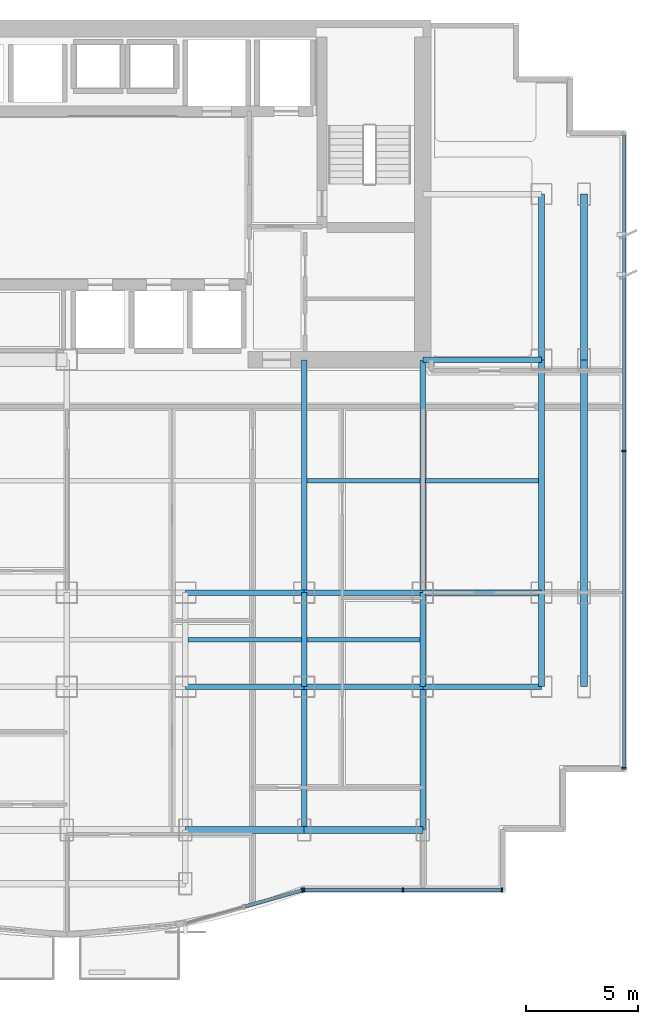
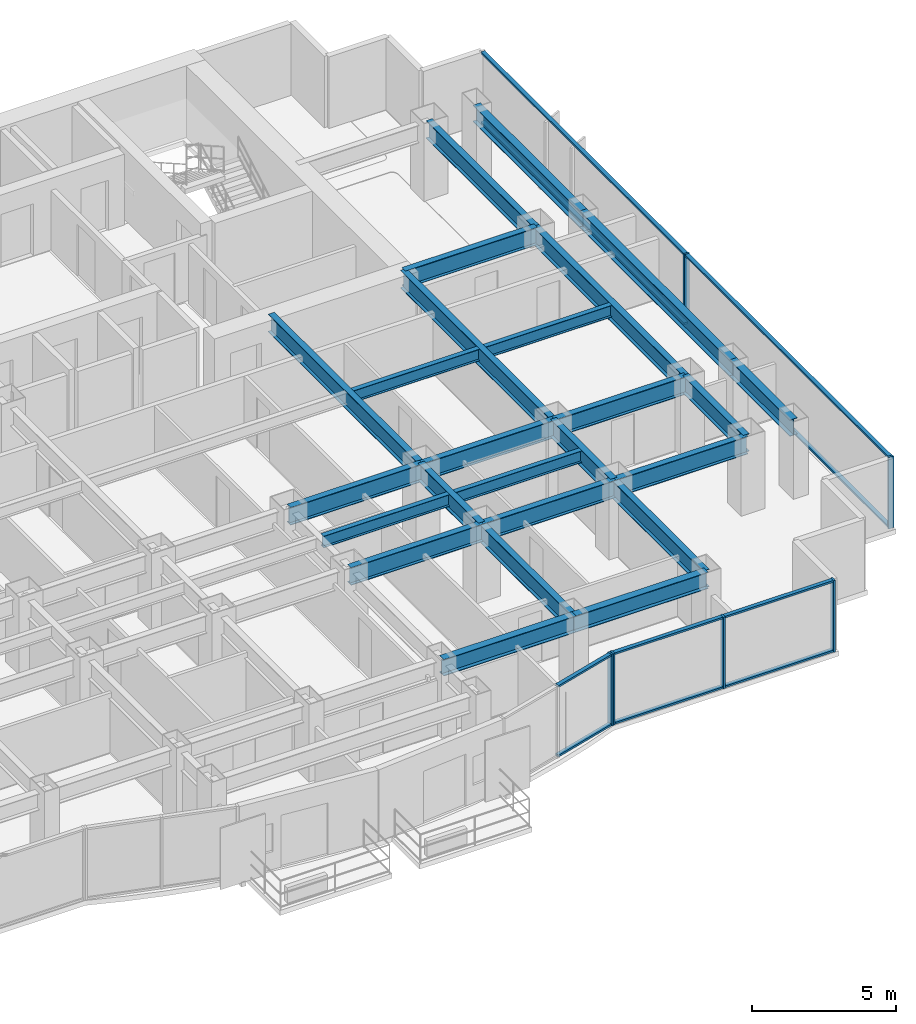
# One storey, part 3 of 11: 25 beams, 16 members, 3 elements without a shape of their own.
"""IFC4 building model written with IfcOpenShell, lengths in metres."""

from ifc_helpers import new_model, si_unit, direction, frame, origin, origin_2d, place, context, subcontext, project, spatial, rectangle, i_section, extrude, source, transform, mapped, material, layer, layer_set, material_profile, profile_set, type_object, element, aggregate, save


model = new_model("IFC4")

# Units and contexts
model_context = context("Model", 3, precision=1e-05, world=origin(), true_north=direction((0.0, 1.0)))
body_context = subcontext(model_context, "Body", "Model", "MODEL_VIEW")
ifc_project = project(units=[si_unit("LENGTHUNIT", "METRE"), si_unit("AREAUNIT", "SQUARE_METRE"), si_unit("VOLUMEUNIT", "CUBIC_METRE"), si_unit("PLANEANGLEUNIT", "RADIAN"), si_unit("MASSUNIT", "GRAM", prefix="KILO")], contexts=[model_context])

# Site, building, storey
site_placement = place(None, origin())
site = spatial("IfcSite", under=ifc_project, at=site_placement, CompositionType="ELEMENT")
building_placement = place(site_placement, origin())
building = spatial("IfcBuilding", under=site, at=building_placement, Name="Qianlan Lanfeng Residences", CompositionType="ELEMENT")
storey_placement = place(building_placement, frame((0.0, 0.0, 124.60009765625)))
storey = spatial("IfcBuildingStorey", under=building, at=storey_placement, Name="L34", CompositionType="ELEMENT", Elevation=124.60009765625)

# Beams
ifc_material_1 = material(Name="Steel SN490B", Category="steel")
ifc_material_profile_1 = material_profile(ifc_material_1, i_section(OverallWidth=0.25, OverallDepth=0.75, WebThickness=0.013916015625, FlangeThickness=0.02490234375, at=origin_2d()), Name="H 750x250x14x25")
ifc_profile_set_1 = profile_set([ifc_material_profile_1], Name="Steel SN490B")
beam_type_1 = type_object("IfcBeamType", Name="G-850", PredefinedType="BEAM", material=ifc_profile_set_1)
beam_1_placement = place(storey_placement, frame((31.800048828125, 10.60009765625, 2.65478515625), z_axis=(1.0, 0.0, 0.0), x_axis=(0.0, 1.0, 0.0)))
element("IfcBeam", 1, at=beam_1_placement, inside=storey, type_object=beam_type_1, Name="Structural beam G-850", PredefinedType="BEAM", context=body_context, shape_type="SweptSolid", body=[
    extrude(i_section(OverallWidth=0.25, OverallDepth=0.75, WebThickness=0.013916015625, FlangeThickness=0.02490234375, at=origin_2d()), origin(), (0.0, 0.0, 1.0), 5.300048828125),
])
beam_2_placement = place(storey_placement, frame((37.10009765625, 10.60009765625, 2.65478515625), z_axis=(1.0, 0.0, 0.0), x_axis=(0.0, 1.0, 0.0)))
element("IfcBeam", 2, at=beam_2_placement, inside=storey, type_object=beam_type_1, Name="Structural beam G-850", PredefinedType="BEAM", context=body_context, shape_type="SweptSolid", body=[
    extrude(i_section(OverallWidth=0.25, OverallDepth=0.75, WebThickness=0.013916015625, FlangeThickness=0.02490234375, at=origin_2d()), origin(), (0.0, 0.0, 1.0), 5.2998046875),
])
for number, where, z_axis, x_axis, name in (
    (3, (42.39990234375, 10.60009765625, 2.65478515625), (1.0, 0.0, 0.0), (0.0, 1.0, 0.0), "Structural beam G-850"),
    (4, (31.800048828125, 14.800048828125, 2.65478515625), (1.0, 0.0, 0.0), (0.0, 1.0, 0.0), "Structural beam G-850"),
):
    element("IfcBeam", number, at=place(storey_placement, frame(where, z_axis=z_axis, x_axis=x_axis)), inside=storey, type_object=beam_type_1, Name=name, PredefinedType="BEAM", context=body_context, shape_type="SweptSolid", body=[
        extrude(i_section(OverallWidth=0.25, OverallDepth=0.75, WebThickness=0.013916015625, FlangeThickness=0.02490234375, at=origin_2d()), origin(), (0.0, 0.0, 1.0), 5.300048828125),
    ])
beam_3_placement = place(storey_placement, frame((37.10009765625, 14.800048828125, 2.65478515625), z_axis=(1.0, 0.0, 0.0), x_axis=(0.0, 1.0, 0.0)))
element("IfcBeam", 5, at=beam_3_placement, inside=storey, type_object=beam_type_1, Name="Structural beam G-850", PredefinedType="BEAM", context=body_context, shape_type="SweptSolid", body=[
    extrude(i_section(OverallWidth=0.25, OverallDepth=0.75, WebThickness=0.013916015625, FlangeThickness=0.02490234375, at=origin_2d()), origin(), (0.0, 0.0, 1.0), 5.2998046875),
])
for number, where, z_axis, x_axis, name in (
    (6, (42.39990234375, 14.800048828125, 2.65478515625), (1.0, 0.0, 0.0), (0.0, 1.0, 0.0), "Structural beam G-850"),
    (7, (42.39990234375, 25.199951171875, 2.65478515625), (1.0, 0.0, 0.0), (0.0, 1.0, 0.0), "Structural beam G-850"),
):
    element("IfcBeam", number, at=place(storey_placement, frame(where, z_axis=z_axis, x_axis=x_axis)), inside=storey, type_object=beam_type_1, Name=name, PredefinedType="BEAM", context=body_context, shape_type="SweptSolid", body=[
        extrude(i_section(OverallWidth=0.25, OverallDepth=0.75, WebThickness=0.013916015625, FlangeThickness=0.02490234375, at=origin_2d()), origin(), (0.0, 0.0, 1.0), 5.300048828125),
    ])
beam_4_placement = place(storey_placement, frame((37.10009765625, 4.199951171875, 2.65478515625), z_axis=(0.0, 1.0, 0.0), x_axis=(-1.0, 0.0, 0.0)))
element("IfcBeam", 8, at=beam_4_placement, inside=storey, type_object=beam_type_1, Name="Structural beam G-850", PredefinedType="BEAM", context=body_context, shape_type="SweptSolid", body=[
    extrude(i_section(OverallWidth=0.25, OverallDepth=0.75, WebThickness=0.013916015625, FlangeThickness=0.02490234375, at=origin_2d()), origin(), (0.0, 0.0, 1.0), 6.400146484375),
])
beam_5_placement = place(storey_placement, frame((37.10009765625, 10.60009765625, 2.65478515625), z_axis=(0.0, 1.0, 0.0), x_axis=(-1.0, 0.0, 0.0)))
element("IfcBeam", 9, at=beam_5_placement, inside=storey, type_object=beam_type_1, Name="Structural beam G-850", PredefinedType="BEAM", context=body_context, shape_type="SweptSolid", body=[
    extrude(i_section(OverallWidth=0.25, OverallDepth=0.75, WebThickness=0.013916015625, FlangeThickness=0.02490234375, at=origin_2d()), origin(), (0.0, 0.0, 1.0), 4.199951171875),
])
beam_6_placement = place(storey_placement, frame((37.10009765625, 14.800048828125, 2.65478515625), z_axis=(0.0, 1.0, 0.0), x_axis=(-1.0, 0.0, 0.0)))
element("IfcBeam", 10, at=beam_6_placement, inside=storey, type_object=beam_type_1, Name="Structural beam G-850", PredefinedType="BEAM", context=body_context, shape_type="SweptSolid", body=[
    extrude(i_section(OverallWidth=0.25, OverallDepth=0.75, WebThickness=0.013916015625, FlangeThickness=0.02490234375, at=origin_2d()), origin(), (0.0, 0.0, 1.0), 10.39990234375),
])
beam_7_placement = place(storey_placement, frame((42.39990234375, 4.199951171875, 2.65478515625), z_axis=(0.0, 1.0, 0.0), x_axis=(-1.0, 0.0, 0.0)))
element("IfcBeam", 11, at=beam_7_placement, inside=storey, type_object=beam_type_1, Name="Structural beam G-850", PredefinedType="BEAM", context=body_context, shape_type="SweptSolid", body=[
    extrude(i_section(OverallWidth=0.25, OverallDepth=0.75, WebThickness=0.013916015625, FlangeThickness=0.02490234375, at=origin_2d()), origin(), (0.0, 0.0, 1.0), 6.400146484375),
])
beam_8_placement = place(storey_placement, frame((42.39990234375, 10.60009765625, 2.65478515625), z_axis=(0.0, 1.0, 0.0), x_axis=(-1.0, 0.0, 0.0)))
element("IfcBeam", 12, at=beam_8_placement, inside=storey, type_object=beam_type_1, Name="Structural beam G-850", PredefinedType="BEAM", context=body_context, shape_type="SweptSolid", body=[
    extrude(i_section(OverallWidth=0.25, OverallDepth=0.75, WebThickness=0.013916015625, FlangeThickness=0.02490234375, at=origin_2d()), origin(), (0.0, 0.0, 1.0), 4.199951171875),
])
beam_9_placement = place(storey_placement, frame((42.39990234375, 14.800048828125, 2.65478515625), z_axis=(0.0, 1.0, 0.0), x_axis=(-1.0, 0.0, 0.0)))
element("IfcBeam", 13, at=beam_9_placement, inside=storey, type_object=beam_type_1, Name="Structural beam G-850", PredefinedType="BEAM", context=body_context, shape_type="SweptSolid", body=[
    extrude(i_section(OverallWidth=0.25, OverallDepth=0.75, WebThickness=0.013916015625, FlangeThickness=0.02490234375, at=origin_2d()), origin(), (0.0, 0.0, 1.0), 10.39990234375),
])
beam_10_placement = place(storey_placement, frame((47.699951171875, 10.60009765625, 2.65478515625), z_axis=(0.0, 1.0, 0.0), x_axis=(-1.0, 0.0, 0.0)))
element("IfcBeam", 14, at=beam_10_placement, inside=storey, type_object=beam_type_1, Name="Structural beam G-850", PredefinedType="BEAM", context=body_context, shape_type="SweptSolid", body=[
    extrude(i_section(OverallWidth=0.25, OverallDepth=0.75, WebThickness=0.013916015625, FlangeThickness=0.02490234375, at=origin_2d()), origin(), (0.0, 0.0, 1.0), 4.199951171875),
])
beam_11_placement = place(storey_placement, frame((47.699951171875, 14.800048828125, 2.65478515625), z_axis=(0.0, 1.0, 0.0), x_axis=(-1.0, 0.0, 0.0)))
element("IfcBeam", 15, at=beam_11_placement, inside=storey, type_object=beam_type_1, Name="Structural beam G-850", PredefinedType="BEAM", context=body_context, shape_type="SweptSolid", body=[
    extrude(i_section(OverallWidth=0.25, OverallDepth=0.75, WebThickness=0.013916015625, FlangeThickness=0.02490234375, at=origin_2d()), origin(), (0.0, 0.0, 1.0), 10.39990234375),
])
beam_12_placement = place(storey_placement, frame((47.699951171875, 25.199951171875, 2.65478515625), z_axis=(0.0, 1.0, 0.0), x_axis=(-1.0, 0.0, 0.0)))
element("IfcBeam", 16, at=beam_12_placement, inside=storey, type_object=beam_type_1, Name="Structural beam G-850", PredefinedType="BEAM", context=body_context, shape_type="SweptSolid", body=[
    extrude(i_section(OverallWidth=0.25, OverallDepth=0.75, WebThickness=0.013916015625, FlangeThickness=0.02490234375, at=origin_2d()), origin(), (0.0, 0.0, 1.0), 7.400146484375),
])
ifc_material_profile_2 = material_profile(ifc_material_1, i_section(OverallWidth=0.199951171875, OverallDepth=0.5, WebThickness=0.010009765625, FlangeThickness=0.01611328125, at=origin_2d()), Name="H 500x200x10x16")
ifc_profile_set_2 = profile_set([ifc_material_profile_2], Name="Steel SN490B")
beam_type_2 = type_object("IfcBeamType", Name="J-500", PredefinedType="JOIST", material=ifc_profile_set_2)
beam_13_placement = place(storey_placement, frame((31.925048828125, 12.699951171875, 2.77978515625), z_axis=(1.0, 0.0, 0.0), x_axis=(0.0, 1.0, 0.0)))
element("IfcBeam", 17, at=beam_13_placement, inside=storey, type_object=beam_type_2, Name="Structural beam J-500", PredefinedType="JOIST", context=body_context, shape_type="SweptSolid", body=[
    extrude(i_section(OverallWidth=0.199951171875, OverallDepth=0.5, WebThickness=0.010009765625, FlangeThickness=0.01611328125, at=origin_2d()), origin(), (0.0, 0.0, 1.0), 5.050048828125),
])
for number, where, z_axis, x_axis, name in (
    (18, (37.22509765625, 12.699951171875, 2.77978515625), (1.0, 0.0, 0.0), (0.0, 1.0, 0.0), "Structural beam J-500"),
    (19, (37.22509765625, 19.800048828125, 2.77978515625), (1.0, 0.0, 0.0), (0.0, 1.0, 0.0), "Structural beam J-500"),
):
    element("IfcBeam", number, at=place(storey_placement, frame(where, z_axis=z_axis, x_axis=x_axis)), inside=storey, type_object=beam_type_2, Name=name, PredefinedType="JOIST", context=body_context, shape_type="SweptSolid", body=[
        extrude(i_section(OverallWidth=0.199951171875, OverallDepth=0.5, WebThickness=0.010009765625, FlangeThickness=0.01611328125, at=origin_2d()), origin(), (0.0, 0.0, 1.0), 5.0498046875),
    ])
beam_14_placement = place(storey_placement, frame((42.52490234375, 19.800048828125, 2.77978515625), z_axis=(1.0, 0.0, 0.0), x_axis=(0.0, 1.0, 0.0)))
element("IfcBeam", 20, at=beam_14_placement, inside=storey, type_object=beam_type_2, Name="Structural beam J-500", PredefinedType="JOIST", context=body_context, shape_type="SweptSolid", body=[
    extrude(i_section(OverallWidth=0.199951171875, OverallDepth=0.5, WebThickness=0.010009765625, FlangeThickness=0.01611328125, at=origin_2d()), origin(), (0.0, 0.0, 1.0), 5.050048828125),
])
ifc_material_profile_3 = material_profile(ifc_material_1, i_section(OverallWidth=0.300048828125, OverallDepth=0.699951171875, WebThickness=0.012939453125, FlangeThickness=0.02392578125, at=origin_2d()), Name="H 700x300x13x24")
ifc_profile_set_3 = profile_set([ifc_material_profile_3], Name="Steel SN490B")
beam_type_3 = type_object("IfcBeamType", Name="SG-750", PredefinedType="SPANDREL", material=ifc_profile_set_3)
beam_15_placement = place(storey_placement, frame((31.800048828125, 4.199951171875, 2.679931640625), z_axis=(1.0, 0.0, 0.0), x_axis=(0.0, 1.0, 0.0)))
element("IfcBeam", 21, at=beam_15_placement, inside=storey, type_object=beam_type_3, Name="Structural beam SG-750", PredefinedType="SPANDREL", context=body_context, shape_type="SweptSolid", body=[
    extrude(i_section(OverallWidth=0.300048828125, OverallDepth=0.699951171875, WebThickness=0.012939453125, FlangeThickness=0.02392578125, at=origin_2d()), origin(), (0.0, 0.0, 1.0), 5.300048828125),
])
beam_16_placement = place(storey_placement, frame((37.10009765625, 4.199951171875, 2.679931640625), z_axis=(1.0, 0.0, 0.0), x_axis=(0.0, 1.0, 0.0)))
element("IfcBeam", 22, at=beam_16_placement, inside=storey, type_object=beam_type_3, Name="Structural beam SG-750", PredefinedType="SPANDREL", context=body_context, shape_type="SweptSolid", body=[
    extrude(i_section(OverallWidth=0.300048828125, OverallDepth=0.699951171875, WebThickness=0.012939453125, FlangeThickness=0.02392578125, at=origin_2d()), origin(), (0.0, 0.0, 1.0), 5.2998046875),
])
beam_17_placement = place(storey_placement, frame((49.60009765625, 10.60009765625, 2.679931640625), z_axis=(0.0, 1.0, 0.0), x_axis=(-1.0, 0.0, 0.0)))
element("IfcBeam", 23, at=beam_17_placement, inside=storey, type_object=beam_type_3, Name="Structural beam SG-750", PredefinedType="SPANDREL", context=body_context, shape_type="SweptSolid", body=[
    extrude(i_section(OverallWidth=0.300048828125, OverallDepth=0.699951171875, WebThickness=0.012939453125, FlangeThickness=0.02392578125, at=origin_2d()), origin(), (0.0, 0.0, 1.0), 4.199951171875),
])
beam_18_placement = place(storey_placement, frame((49.60009765625, 14.800048828125, 2.679931640625), z_axis=(0.0, 1.0, 0.0), x_axis=(-1.0, 0.0, 0.0)))
element("IfcBeam", 24, at=beam_18_placement, inside=storey, type_object=beam_type_3, Name="Structural beam SG-750", PredefinedType="SPANDREL", context=body_context, shape_type="SweptSolid", body=[
    extrude(i_section(OverallWidth=0.300048828125, OverallDepth=0.699951171875, WebThickness=0.012939453125, FlangeThickness=0.02392578125, at=origin_2d()), origin(), (0.0, 0.0, 1.0), 10.39990234375),
])
beam_19_placement = place(storey_placement, frame((49.60009765625, 25.199951171875, 2.679931640625), z_axis=(0.0, 1.0, 0.0), x_axis=(-1.0, 0.0, 0.0)))
element("IfcBeam", 25, at=beam_19_placement, inside=storey, type_object=beam_type_3, Name="Structural beam SG-750", PredefinedType="SPANDREL", context=body_context, shape_type="SweptSolid", body=[
    extrude(i_section(OverallWidth=0.300048828125, OverallDepth=0.699951171875, WebThickness=0.012939453125, FlangeThickness=0.02392578125, at=origin_2d()), origin(), (0.0, 0.0, 1.0), 7.400146484375),
])

# Curtain wall, member
ifc_material_2 = material(Name="Anodised Bronze Aluminium 6063-T6", Category="aluminium")
ifc_layer = layer(ifc_material_2, 0.219970703125)
ifc_layer_set = layer_set([ifc_layer], Name="Anodised Bronze Aluminium 6063-T6")
curtain_wall_type = type_object("IfcCurtainWallType", Name="CW-03", PredefinedType="NOTDEFINED", material=ifc_layer_set)
curtain_wall_1_placement = place(storey_placement, origin())
curtain_wall_1 = element("IfcCurtainWall", 26, at=curtain_wall_1_placement, inside=storey, type_object=curtain_wall_type, Name="L34 Unitised Curtain Wall CWR-L34-03 (CW-03)", PredefinedType="NOTDEFINED")
ifc_material_profile_4 = material_profile(ifc_material_2, rectangle(XDim=0.080078125, YDim=0.2099609375, at=origin_2d()), Name="ALU MULLION 80x210")
ifc_profile_set_4 = profile_set([ifc_material_profile_4], Name="Anodised Bronze Aluminium 6063-T6")
member_type_1 = type_object("IfcMemberType", Name="CWM-220", PredefinedType="MULLION", material=ifc_profile_set_4)
shared_shape_1 = source(origin(), body_context, "Body", "SweptSolid", [
    extrude(rectangle(XDim=0.080078125, YDim=0.2099609375, at=origin_2d()), origin(), (0.0, 0.0, 1.0), 3.02978515625),
])
member_1_placement = place(storey_placement, frame((37.0205078125, 1.509033203125, 0.0), z_axis=(0.0, 0.0, 1.0), x_axis=(0.961989074302, 0.273087936247, 0.0)))
member_1 = element("IfcMember", 27, at=member_1_placement, type_object=member_type_1, Name="CWR-L34-03 Mullion 3", PredefinedType="MULLION", context=body_context, shape_type="MappedRepresentation", body=[
    mapped(shared_shape_1, transform((0.0, 0.0, 0.0), scale=1.0)),
])

# Curtain wall, members
curtain_wall_2_placement = place(storey_placement, origin())
curtain_wall_2 = element("IfcCurtainWall", 28, at=curtain_wall_2_placement, inside=storey, type_object=curtain_wall_type, Name="L34 Unitised Curtain Wall CWR-L34-04 (CW-03)", PredefinedType="NOTDEFINED")
member_2_placement = place(storey_placement, frame((37.09912109375, 1.52001953125, 0.0), z_axis=(0.0, 0.0, 1.0), x_axis=(1.0, 0.0, 0.0)))
member_2 = element("IfcMember", 29, at=member_2_placement, type_object=member_type_1, Name="CWR-L34-04 Mullion 1", PredefinedType="MULLION", context=body_context, shape_type="MappedRepresentation", body=[
    mapped(shared_shape_1, transform((0.0, 0.0, 0.0), scale=1.0)),
])
member_3_placement = place(storey_placement, frame((41.51953125, 1.52001953125, 0.0), z_axis=(0.0, 0.0, 1.0), x_axis=(1.0, 0.0, 0.0)))
member_3 = element("IfcMember", 30, at=member_3_placement, type_object=member_type_1, Name="CWR-L34-04 Mullion 2", PredefinedType="MULLION", context=body_context, shape_type="MappedRepresentation", body=[
    mapped(shared_shape_1, transform((0.0, 0.0, 0.0), scale=1.0)),
])
member_4_placement = place(storey_placement, frame((45.93994140625, 1.52001953125, 0.0), z_axis=(0.0, 0.0, 1.0), x_axis=(1.0, 0.0, 0.0)))
member_4 = element("IfcMember", 31, at=member_4_placement, type_object=member_type_1, Name="CWR-L34-04 Mullion 3", PredefinedType="MULLION", context=body_context, shape_type="MappedRepresentation", body=[
    mapped(shared_shape_1, transform((0.0, 0.0, 0.0), scale=1.0)),
])

curtain_wall_3_placement = place(storey_placement, origin())
curtain_wall_3 = element("IfcCurtainWall", 32, at=curtain_wall_3_placement, inside=storey, type_object=curtain_wall_type, Name="L34 Unitised Curtain Wall CWR-L34-05 (CW-03)", PredefinedType="NOTDEFINED")
member_5_placement = place(storey_placement, frame((51.3798828125, 6.9599609375, 0.0), z_axis=(0.0, 0.0, 1.0), x_axis=(0.0, 1.0, 0.0)))
member_5 = element("IfcMember", 33, at=member_5_placement, type_object=member_type_1, Name="CWR-L34-05 Mullion 1", PredefinedType="MULLION", context=body_context, shape_type="MappedRepresentation", body=[
    mapped(shared_shape_1, transform((0.0, 0.0, 0.0), scale=1.0)),
])
member_6_placement = place(storey_placement, frame((51.3798828125, 21.125, 0.0), z_axis=(0.0, 0.0, 1.0), x_axis=(0.0, 1.0, 0.0)))
member_6 = element("IfcMember", 34, at=member_6_placement, type_object=member_type_1, Name="CWR-L34-05 Mullion 2", PredefinedType="MULLION", context=body_context, shape_type="MappedRepresentation", body=[
    mapped(shared_shape_1, transform((0.0, 0.0, 0.0), scale=1.0)),
])

# Member
ifc_material_profile_5 = material_profile(ifc_material_2, rectangle(XDim=0.080078125, YDim=0.159912109375, at=origin_2d()), Name="ALU TRANSOM 80x160")
ifc_profile_set_5 = profile_set([ifc_material_profile_5], Name="Anodised Bronze Aluminium 6063-T6")
member_type_2 = type_object("IfcMemberType", Name="CWT-180", PredefinedType="USERDEFINED", material=ifc_profile_set_5)
shared_shape_2 = source(origin(), body_context, "Body", "SweptSolid", [
    extrude(rectangle(XDim=0.080078125, YDim=0.159912109375, at=origin_2d()), origin(), (0.0, 0.0, 1.0), 4.34033203125),
])
member_7_placement = place(storey_placement, frame((41.5595703125, 1.52001953125, 0.039794921875), z_axis=(1.0, 0.0, 0.0), x_axis=(0.0, 0.0, 1.0)))
member_7 = element("IfcMember", 35, at=member_7_placement, type_object=member_type_2, Name="CWR-L34-04 Transom 2-BOT", ObjectType="TRANSOM", PredefinedType="USERDEFINED", context=body_context, shape_type="MappedRepresentation", body=[
    mapped(shared_shape_2, transform((0.0, 0.0, 0.0), scale=1.0)),
])

member_8_placement = place(storey_placement, frame((41.5595703125, 1.52001953125, 2.989990234375), z_axis=(1.0, 0.0, 0.0), x_axis=(0.0, 0.0, 1.0)))
member_8 = element("IfcMember", 36, at=member_8_placement, type_object=member_type_2, Name="CWR-L34-04 Transom 2-TOP", ObjectType="TRANSOM", PredefinedType="USERDEFINED", context=body_context, shape_type="MappedRepresentation", body=[
    mapped(shared_shape_2, transform((0.0, 0.0, 0.0), scale=1.0)),
])

shared_shape_3 = source(origin(), body_context, "Body", "SweptSolid", [
    extrude(rectangle(XDim=0.080078125, YDim=0.159912109375, at=origin_2d()), origin(), (0.0, 0.0, 1.0), 4.340576171875),
])
member_9_placement = place(storey_placement, frame((37.138916015625, 1.52001953125, 0.039794921875), z_axis=(1.0, 0.0, 0.0), x_axis=(0.0, 0.0, 1.0)))
member_9 = element("IfcMember", 37, at=member_9_placement, type_object=member_type_2, Name="CWR-L34-04 Transom 1-BOT", ObjectType="TRANSOM", PredefinedType="USERDEFINED", context=body_context, shape_type="MappedRepresentation", body=[
    mapped(shared_shape_3, transform((0.0, 0.0, 0.0), scale=1.0)),
])

member_10_placement = place(storey_placement, frame((37.138916015625, 1.52001953125, 2.989990234375), z_axis=(1.0, 0.0, 0.0), x_axis=(0.0, 0.0, 1.0)))
member_10 = element("IfcMember", 38, at=member_10_placement, type_object=member_type_2, Name="CWR-L34-04 Transom 1-TOP", ObjectType="TRANSOM", PredefinedType="USERDEFINED", context=body_context, shape_type="MappedRepresentation", body=[
    mapped(shared_shape_3, transform((0.0, 0.0, 0.0), scale=1.0)),
])

aggregate(curtain_wall_2, [member_2, member_3, member_4, member_9, member_10, member_7, member_8])

shared_shape_4 = source(origin(), body_context, "Body", "SweptSolid", [
    extrude(rectangle(XDim=0.080078125, YDim=0.159912109375, at=origin_2d()), origin(), (0.0, 0.0, 1.0), 2.63037109375),
])
member_11_placement = place(storey_placement, frame((34.451904296875, 0.77978515625, 0.039794921875), z_axis=(0.961967513886, 0.273163874312, 0.0), x_axis=(0.0, 0.0, 1.0)))
member_11 = element("IfcMember", 39, at=member_11_placement, type_object=member_type_2, Name="CWR-L34-03 Transom 2-BOT", ObjectType="TRANSOM", PredefinedType="USERDEFINED", context=body_context, shape_type="MappedRepresentation", body=[
    mapped(shared_shape_4, transform((0.0, 0.0, 0.0), scale=1.0)),
])

member_12_placement = place(storey_placement, frame((34.451904296875, 0.77978515625, 2.989990234375), z_axis=(0.961967513886, 0.273163874312, 0.0), x_axis=(0.0, 0.0, 1.0)))
member_12 = element("IfcMember", 40, at=member_12_placement, type_object=member_type_2, Name="CWR-L34-03 Transom 2-TOP", ObjectType="TRANSOM", PredefinedType="USERDEFINED", context=body_context, shape_type="MappedRepresentation", body=[
    mapped(shared_shape_4, transform((0.0, 0.0, 0.0), scale=1.0)),
])

aggregate(curtain_wall_1, [member_1, member_11, member_12])

shared_shape_5 = source(origin(), body_context, "Body", "SweptSolid", [
    extrude(rectangle(XDim=0.080078125, YDim=0.159912109375, at=origin_2d()), origin(), (0.0, 0.0, 1.0), 14.0849609375),
])
member_13_placement = place(storey_placement, frame((51.3798828125, 7.0, 0.039794921875), z_axis=(0.0, 1.0, 0.0), x_axis=(0.0, 0.0, 1.0)))
member_13 = element("IfcMember", 41, at=member_13_placement, type_object=member_type_2, Name="CWR-L34-05 Transom 1-BOT", ObjectType="TRANSOM", PredefinedType="USERDEFINED", context=body_context, shape_type="MappedRepresentation", body=[
    mapped(shared_shape_5, transform((0.0, 0.0, 0.0), scale=1.0)),
])

member_14_placement = place(storey_placement, frame((51.3798828125, 7.0, 2.989990234375), z_axis=(0.0, 1.0, 0.0), x_axis=(0.0, 0.0, 1.0)))
member_14 = element("IfcMember", 42, at=member_14_placement, type_object=member_type_2, Name="CWR-L34-05 Transom 1-TOP", ObjectType="TRANSOM", PredefinedType="USERDEFINED", context=body_context, shape_type="MappedRepresentation", body=[
    mapped(shared_shape_5, transform((0.0, 0.0, 0.0), scale=1.0)),
])

member_15_placement = place(storey_placement, frame((51.3798828125, 21.1650390625, 0.039794921875), z_axis=(0.0, 1.0, 0.0), x_axis=(0.0, 0.0, 1.0)))
member_15 = element("IfcMember", 43, at=member_15_placement, type_object=member_type_2, Name="CWR-L34-05 Transom 2-BOT", ObjectType="TRANSOM", PredefinedType="USERDEFINED", context=body_context, shape_type="MappedRepresentation", body=[
    mapped(shared_shape_5, transform((0.0, 0.0, 0.0), scale=1.0)),
])

member_16_placement = place(storey_placement, frame((51.3798828125, 21.1650390625, 2.989990234375), z_axis=(0.0, 1.0, 0.0), x_axis=(0.0, 0.0, 1.0)))
member_16 = element("IfcMember", 44, at=member_16_placement, type_object=member_type_2, Name="CWR-L34-05 Transom 2-TOP", ObjectType="TRANSOM", PredefinedType="USERDEFINED", context=body_context, shape_type="MappedRepresentation", body=[
    mapped(shared_shape_5, transform((0.0, 0.0, 0.0), scale=1.0)),
])

aggregate(curtain_wall_3, [member_5, member_6, member_13, member_14, member_15, member_16])

save(model, "model.ifc")
